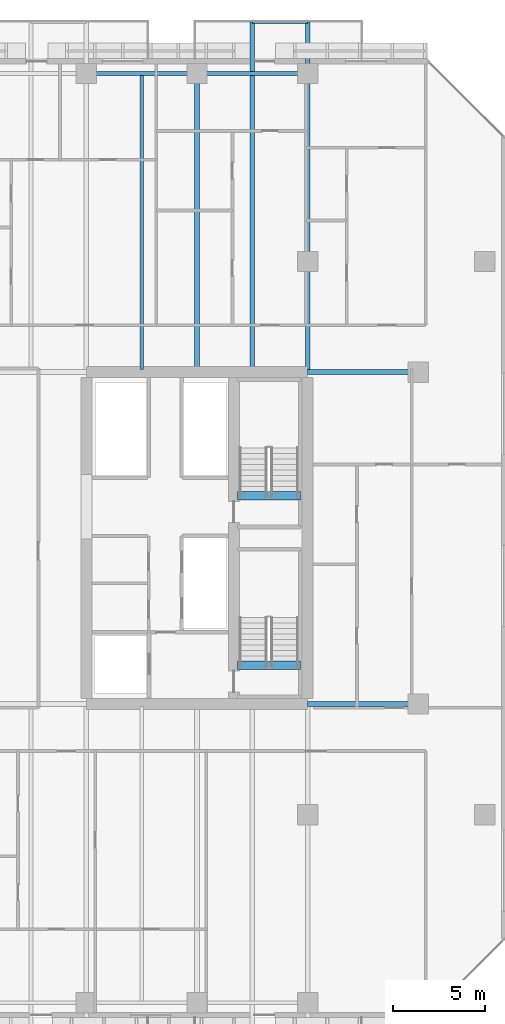
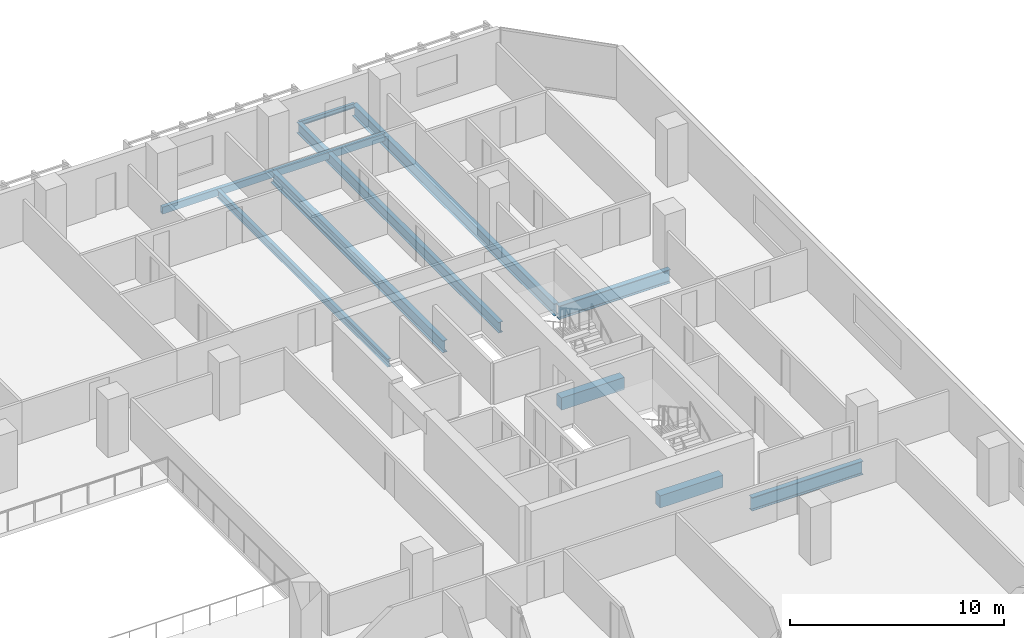
# One storey, part 16 of 34: 11 beams.
"""IFC4 building model written with IfcOpenShell, lengths in metres."""

from ifc_helpers import new_model, si_unit, direction, frame, origin, origin_2d, place, context, subcontext, project, spatial, rectangle, hollow_rectangle, i_section, extrude, material, material_profile, profile_set, type_object, element, save


model = new_model("IFC4")

# Units and contexts
model_context = context("Model", 3, precision=1e-05, world=origin(), true_north=direction((0.0, 1.0)))
body_context = subcontext(model_context, "Body", "Model", "MODEL_VIEW")
ifc_project = project(units=[si_unit("LENGTHUNIT", "METRE"), si_unit("AREAUNIT", "SQUARE_METRE"), si_unit("VOLUMEUNIT", "CUBIC_METRE"), si_unit("PLANEANGLEUNIT", "RADIAN"), si_unit("MASSUNIT", "GRAM", prefix="KILO")], contexts=[model_context])

# Site, building, storey
site_placement = place(None, origin())
site = spatial("IfcSite", under=ifc_project, at=site_placement, CompositionType="ELEMENT")
building_placement = place(site_placement, origin())
building = spatial("IfcBuilding", under=site, at=building_placement, Name="Tanjung Sevakor Pilgrim Tower", CompositionType="ELEMENT")
storey_placement = place(building_placement, frame((0.0, 0.0, 55.43994140625)))
storey = spatial("IfcBuildingStorey", under=building, at=storey_placement, Name="L15", CompositionType="ELEMENT", Elevation=55.43994140625)

# Beams
ifc_material_1 = material(Name="Steel S355J2", Category="steel")
ifc_material_profile_1 = material_profile(ifc_material_1, i_section(OverallWidth=0.26806640625, OverallDepth=0.769775390625, WebThickness=0.015625, FlangeThickness=0.025390625, FilletRadius=0.0166015625, at=origin_2d()))
ifc_profile_set_1 = profile_set([ifc_material_profile_1], Name="Steel S355J2")
beam_type_1 = type_object("IfcBeamType", Name="BM-B-G1-UB_762x267x197", PredefinedType="BEAM", material=ifc_profile_set_1)
for number, where, z_axis, x_axis, name in (
    (1, (90.0, 24.60009765625, -0.604736328125), (1.0, 0.0, 0.0), (0.0, 1.0, 0.0), "L15 Primary Floor Girder MAIN Y246-09"),
    (2, (90.0, 42.60009765625, -0.604736328125), (1.0, 0.0, 0.0), (0.0, 1.0, 0.0), "L15 Primary Floor Girder MAIN Y426-09"),
):
    element("IfcBeam", number, at=place(storey_placement, frame(where, z_axis=z_axis, x_axis=x_axis)), inside=storey, type_object=beam_type_1, Name=name, PredefinedType="BEAM", context=body_context, shape_type="SweptSolid", body=[
        extrude(i_section(OverallWidth=0.26806640625, OverallDepth=0.769775390625, WebThickness=0.015625, FlangeThickness=0.025390625, FilletRadius=0.0166015625, at=origin_2d()), origin(), (0.0, 0.0, 1.0), 6.0),
    ])
ifc_material_2 = material(Name="Steel S355J2", Category="steel")
ifc_material_profile_2 = material_profile(ifc_material_2, i_section(OverallWidth=0.25439453125, OverallDepth=0.6875, WebThickness=0.01318359375, FlangeThickness=0.02099609375, FilletRadius=0.01513671875, at=origin_2d()))
ifc_profile_set_2 = profile_set([ifc_material_profile_2], Name="Steel S355J2")
beam_type_2 = type_object("IfcBeamType", Name="BM-B-G2-UB_686x254x152", PredefinedType="BEAM", material=ifc_profile_set_2)
beam_1_placement = place(storey_placement, frame((84.0, 42.73388671875, -0.563720703125), z_axis=(0.0, 1.0, 0.0), x_axis=(-1.0, 0.0, 0.0)))
element("IfcBeam", 3, at=beam_1_placement, inside=storey, type_object=beam_type_2, Name="L15 MAIN Girder 026", PredefinedType="BEAM", context=body_context, shape_type="SweptSolid", body=[
    extrude(i_section(OverallWidth=0.25439453125, OverallDepth=0.6875, WebThickness=0.01318359375, FlangeThickness=0.02099609375, FilletRadius=0.01513671875, at=origin_2d()), origin(), (0.0, 0.0, 1.0), 16.066162109375),
])
beam_2_placement = place(storey_placement, frame((90.0, 42.73388671875, -0.563720703125), z_axis=(0.0, 1.0, 0.0), x_axis=(-1.0, 0.0, 0.0)))
element("IfcBeam", 4, at=beam_2_placement, inside=storey, type_object=beam_type_2, Name="L15 Balcony Cantilever Beam MAIN-N4-2", PredefinedType="BEAM", context=body_context, shape_type="SweptSolid", body=[
    extrude(i_section(OverallWidth=0.25439453125, OverallDepth=0.6875, WebThickness=0.01318359375, FlangeThickness=0.02099609375, FilletRadius=0.01513671875, at=origin_2d()), origin(), (0.0, 0.0, 1.0), 18.84619140625),
])
ifc_material_3 = material(Name="Steel S355J2", Category="steel")
ifc_material_profile_3 = material_profile(ifc_material_3, i_section(OverallWidth=0.22900390625, OverallDepth=0.6123046875, WebThickness=0.011962890625, FlangeThickness=0.01953125, FilletRadius=0.0126953125, at=origin_2d()))
ifc_profile_set_3 = profile_set([ifc_material_profile_3], Name="Steel S355J2")
beam_type_3 = type_object("IfcBeamType", Name="BM-B-G4-UB_610x229x125", PredefinedType="BEAM", material=ifc_profile_set_3)
beam_3_placement = place(storey_placement, frame((87.0, 42.73388671875, -0.526123046875), z_axis=(0.0, 1.0, 0.0), x_axis=(-1.0, 0.0, 0.0)))
element("IfcBeam", 5, at=beam_3_placement, inside=storey, type_object=beam_type_3, Name="L15 Balcony Cantilever Beam MAIN-N4-1", PredefinedType="BEAM", context=body_context, shape_type="SweptSolid", body=[
    extrude(i_section(OverallWidth=0.22900390625, OverallDepth=0.6123046875, WebThickness=0.011962890625, FlangeThickness=0.01953125, FilletRadius=0.0126953125, at=origin_2d()), origin(), (0.0, 0.0, 1.0), 18.84619140625),
])
ifc_material_4 = material(Name="Steel S355J2", Category="steel")
ifc_material_profile_4 = material_profile(ifc_material_4, i_section(OverallWidth=0.19140625, OverallDepth=0.4599609375, WebThickness=0.010009765625, FlangeThickness=0.01611328125, FilletRadius=0.01025390625, at=origin_2d()))
ifc_profile_set_4 = profile_set([ifc_material_profile_4], Name="Steel S355J2")
beam_type_4 = type_object("IfcBeamType", Name="BM-B-J2-UB_457x191x82", PredefinedType="JOIST", material=ifc_profile_set_4)
beam_4_placement = place(storey_placement, frame((81.0, 42.73388671875, -0.449951171875), z_axis=(0.0, 1.0, 0.0), x_axis=(-1.0, 0.0, 0.0)))
element("IfcBeam", 6, at=beam_4_placement, inside=storey, type_object=beam_type_4, Name="L15 MAIN Joist 024", PredefinedType="JOIST", context=body_context, shape_type="SweptSolid", body=[
    extrude(i_section(OverallWidth=0.19140625, OverallDepth=0.4599609375, WebThickness=0.010009765625, FlangeThickness=0.01611328125, FilletRadius=0.01025390625, at=origin_2d()), origin(), (0.0, 0.0, 1.0), 15.966064453125),
])
ifc_material_5 = material(Name="Steel S355J2", Category="steel")
ifc_material_profile_5 = material_profile(ifc_material_5, i_section(OverallWidth=0.146484375, OverallDepth=0.256103515625, WebThickness=0.00634765625, FlangeThickness=0.010986328125, FilletRadius=0.007568359375, at=origin_2d()))
ifc_profile_set_5 = profile_set([ifc_material_profile_5], Name="Steel S355J2")
beam_type_5 = type_object("IfcBeamType", Name="BM-B-J6-UB_254x146x37", PredefinedType="JOIST", material=ifc_profile_set_5)
beam_5_placement = place(storey_placement, frame((87.0, 61.580078125, -0.327880859375), z_axis=(1.0, 0.0, 0.0), x_axis=(0.0, 1.0, 0.0)))
element("IfcBeam", 7, at=beam_5_placement, inside=storey, type_object=beam_type_5, Name="L15 Balcony Rim Tie MAIN-N4", PredefinedType="JOIST", context=body_context, shape_type="SweptSolid", body=[
    extrude(i_section(OverallWidth=0.146484375, OverallDepth=0.256103515625, WebThickness=0.00634765625, FlangeThickness=0.010986328125, FilletRadius=0.007568359375, at=origin_2d()), origin(), (0.0, 0.0, 1.0), 3.0),
])
ifc_material_6 = material(Name="Concrete C60/75", Category="concrete")
ifc_material_profile_6 = material_profile(ifc_material_6, rectangle(XDim=0.449951171875, YDim=0.699951171875, at=origin_2d()))
ifc_profile_set_6 = profile_set([ifc_material_profile_6], Name="Concrete C60/75")
beam_type_6 = type_object("IfcBeamType", Name="BM-B-LN3-RC-BM_450x700", PredefinedType="LINTEL", material=ifc_profile_set_6)
for number, where, z_axis, x_axis, name in (
    (8, (86.199951171875, 26.699951171875, -0.349853515625), (1.0, 0.0, 0.0), (0.0, 1.0, 0.0), "L15 TS-E1 Stair Threshold Beam"),
    (9, (86.199951171875, 35.89990234375, -0.349853515625), (1.0, 0.0, 0.0), (0.0, 1.0, 0.0), "L15 TS-E2 Stair Threshold Beam"),
):
    element("IfcBeam", number, at=place(storey_placement, frame(where, z_axis=z_axis, x_axis=x_axis)), inside=storey, type_object=beam_type_6, Name=name, PredefinedType="LINTEL", context=body_context, shape_type="SweptSolid", body=[
        extrude(rectangle(XDim=0.449951171875, YDim=0.699951171875, at=origin_2d()), origin(), (0.0, 0.0, 1.0), 3.400146484375),
    ])
ifc_material_7 = material(Name="Steel S355J2", Category="steel")
ifc_material_profile_7 = material_profile(ifc_material_7, hollow_rectangle(XDim=0.199951171875, YDim=0.39990234375, WallThickness=0.01611328125, at=origin_2d()))
ifc_profile_set_7 = profile_set([ifc_material_profile_7], Name="Steel S355J2")
beam_type_7 = type_object("IfcBeamType", Name="BM-B-SP2-RHS_400x200x16", PredefinedType="SPANDREL", material=ifc_profile_set_7)
for number, where, z_axis, x_axis, name in (
    (10, (78.0, 58.800048828125, -0.419921875), (1.0, 0.0, 0.0), (0.0, 1.0, 0.0), "L15 Spandrel MAIN N-16"),
    (11, (84.0, 58.800048828125, -0.419921875), (1.0, 0.0, 0.0), (0.0, 1.0, 0.0), "L15 Spandrel MAIN N-18"),
):
    element("IfcBeam", number, at=place(storey_placement, frame(where, z_axis=z_axis, x_axis=x_axis)), inside=storey, type_object=beam_type_7, Name=name, PredefinedType="SPANDREL", context=body_context, shape_type="SweptSolid", body=[
        extrude(hollow_rectangle(XDim=0.199951171875, YDim=0.39990234375, WallThickness=0.01611328125, at=origin_2d()), origin(), (0.0, 0.0, 1.0), 6.0),
    ])

save(model, "model.ifc")
